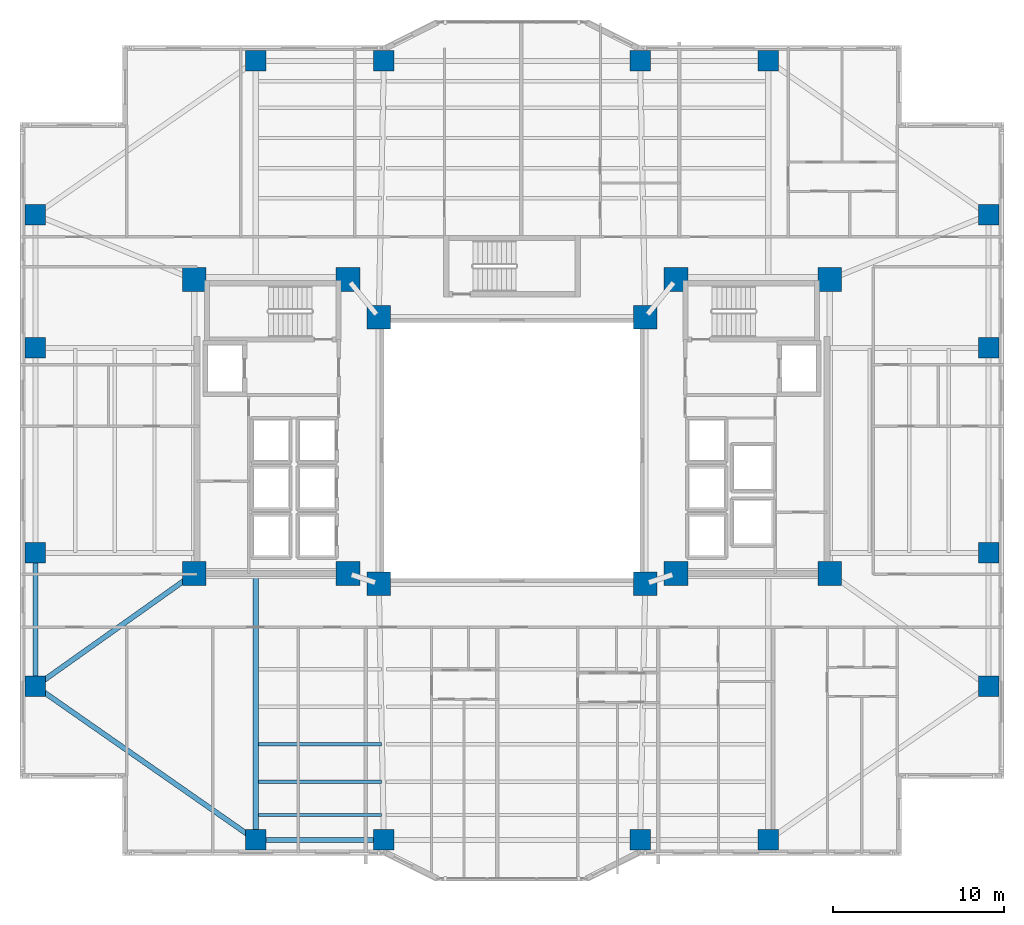
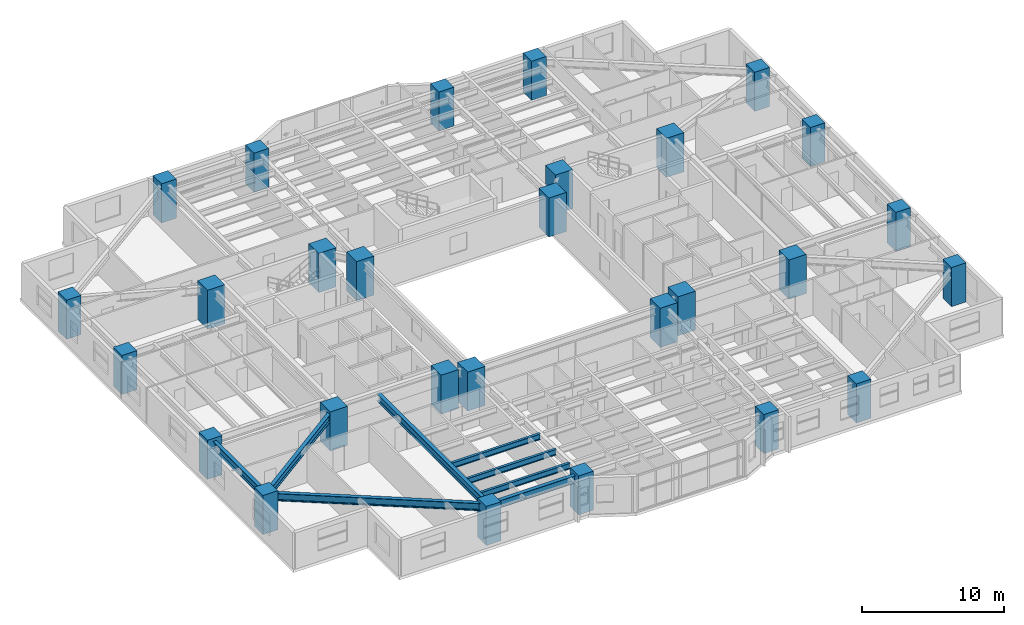
# One storey, part 1 of 21: 28 columns, 8 beams.
"""IFC4 building model written with IfcOpenShell, lengths in metres."""

from ifc_helpers import new_model, si_unit, direction, frame, origin, origin_2d, place, context, subcontext, project, spatial, rectangle, i_section, extrude, material, material_profile, profile_set, type_object, element, save


model = new_model("IFC4")

# Units and contexts
model_context = context("Model", 3, precision=1e-05, world=origin(), true_north=direction((0.0, 1.0)))
body_context = subcontext(model_context, "Body", "Model", "MODEL_VIEW")
ifc_project = project(units=[si_unit("LENGTHUNIT", "METRE"), si_unit("AREAUNIT", "SQUARE_METRE"), si_unit("VOLUMEUNIT", "CUBIC_METRE"), si_unit("PLANEANGLEUNIT", "RADIAN"), si_unit("MASSUNIT", "GRAM", prefix="KILO")], contexts=[model_context])

# Site, building, storey
site_placement = place(None, origin())
site = spatial("IfcSite", under=ifc_project, at=site_placement, CompositionType="ELEMENT")
building_placement = place(site_placement, origin())
building = spatial("IfcBuilding", under=site, at=building_placement, Name="Tarnavaz Court Tower", CompositionType="ELEMENT")
storey_placement = place(building_placement, frame((0.0, 0.0, 47.449951171875)))
storey = spatial("IfcBuildingStorey", under=building, at=storey_placement, Name="L12", CompositionType="ELEMENT", Elevation=47.449951171875)

# Columns
ifc_material_1 = material(Name="Concrete C60/75", Category="concrete")
ifc_material_profile_1 = material_profile(ifc_material_1, rectangle(XDim=1.199951171875, YDim=1.199951171875, at=origin_2d()), Name="RC 1200X1200")
ifc_profile_set_1 = profile_set([ifc_material_profile_1], Name="Concrete C60/75")
column_type_1 = type_object("IfcColumnType", Name="CL-RC1200", PredefinedType="COLUMN", material=ifc_profile_set_1)
for number, where, z_axis, x_axis, name in (
    (1, (-15.0, 22.800048828125, 0.0), (0.0, 0.0, 1.0), (1.0, 0.0, 0.0), "L12 Column PN-1"),
    (2, (-7.5, 22.800048828125, 0.0), (0.0, 0.0, 1.0), (1.0, 0.0, 0.0), "L12 Column PN-2"),
    (3, (7.5, 22.800048828125, 0.0), (0.0, 0.0, 1.0), (1.0, 0.0, 0.0), "L12 Column PN-3"),
    (4, (15.0, 22.800048828125, 0.0), (0.0, 0.0, 1.0), (1.0, 0.0, 0.0), "L12 Column PN-4"),
    (5, (-15.0, -22.800048828125, 0.0), (0.0, 0.0, 1.0), (1.0, 0.0, 0.0), "L12 Column PS-1"),
    (6, (-7.5, -22.800048828125, 0.0), (0.0, 0.0, 1.0), (1.0, 0.0, 0.0), "L12 Column PS-2"),
    (7, (7.5, -22.800048828125, 0.0), (0.0, 0.0, 1.0), (1.0, 0.0, 0.0), "L12 Column PS-3"),
    (8, (15.0, -22.800048828125, 0.0), (0.0, 0.0, 1.0), (1.0, 0.0, 0.0), "L12 Column PS-4"),
    (9, (27.89990234375, -13.800048828125, 0.0), (0.0, 0.0, 1.0), (1.0, 0.0, 0.0), "L12 Column PE-1"),
    (10, (27.89990234375, -6.0, 0.0), (0.0, 0.0, 1.0), (1.0, 0.0, 0.0), "L12 Column PE-2"),
    (11, (27.89990234375, 6.0, 0.0), (0.0, 0.0, 1.0), (1.0, 0.0, 0.0), "L12 Column PE-3"),
    (12, (27.89990234375, 13.800048828125, 0.0), (0.0, 0.0, 1.0), (1.0, 0.0, 0.0), "L12 Column PE-4"),
    (13, (-27.89990234375, -13.800048828125, 0.0), (0.0, 0.0, 1.0), (1.0, 0.0, 0.0), "L12 Column PW-1"),
    (14, (-27.89990234375, -6.0, 0.0), (0.0, 0.0, 1.0), (1.0, 0.0, 0.0), "L12 Column PW-2"),
    (15, (-27.89990234375, 6.0, 0.0), (0.0, 0.0, 1.0), (1.0, 0.0, 0.0), "L12 Column PW-3"),
    (16, (-27.89990234375, 13.800048828125, 0.0), (0.0, 0.0, 1.0), (1.0, 0.0, 0.0), "L12 Column PW-4"),
):
    element("IfcColumn", number, at=place(storey_placement, frame(where, z_axis=z_axis, x_axis=x_axis)), inside=storey, type_object=column_type_1, Name=name, PredefinedType="COLUMN", context=body_context, shape_type="SweptSolid", body=[
        extrude(rectangle(XDim=1.199951171875, YDim=1.199951171875, at=origin_2d()), origin(), (0.0, 0.0, 1.0), 3.35009765625),
    ])
ifc_material_profile_2 = material_profile(ifc_material_1, rectangle(XDim=1.39990234375, YDim=1.39990234375, at=origin_2d()), Name="RC 1400X1400")
ifc_profile_set_2 = profile_set([ifc_material_profile_2], Name="Concrete C60/75")
column_type_2 = type_object("IfcColumnType", Name="CL-RC1400", PredefinedType="COLUMN", material=ifc_profile_set_2)
for number, where, z_axis, x_axis, name in (
    (17, (-7.800048828125, -7.800048828125, 0.0), (0.0, 0.0, 1.0), (1.0, 0.0, 0.0), "L12 Column IW-SW"),
    (18, (7.800048828125, -7.800048828125, 0.0), (0.0, 0.0, 1.0), (1.0, 0.0, 0.0), "L12 Column IW-SE"),
    (19, (-7.800048828125, 7.800048828125, 0.0), (0.0, 0.0, 1.0), (1.0, 0.0, 0.0), "L12 Column IW-NW"),
    (20, (7.800048828125, 7.800048828125, 0.0), (0.0, 0.0, 1.0), (1.0, 0.0, 0.0), "L12 Column IW-NE"),
    (21, (-9.60009765625, -7.199951171875, 0.0), (0.0, 0.0, 1.0), (1.0, 0.0, 0.0), "L12 Column CW-SI"),
    (22, (-9.60009765625, 10.0, 0.0), (0.0, 0.0, 1.0), (1.0, 0.0, 0.0), "L12 Column CW-NI"),
    (23, (9.60009765625, -7.199951171875, 0.0), (0.0, 0.0, 1.0), (1.0, 0.0, 0.0), "L12 Column CE-SI"),
    (24, (9.60009765625, 10.0, 0.0), (0.0, 0.0, 1.0), (1.0, 0.0, 0.0), "L12 Column CE-NI"),
    (25, (-18.60009765625, -7.199951171875, 0.0), (0.0, 0.0, 1.0), (1.0, 0.0, 0.0), "L12 Column CW-SO"),
    (26, (-18.60009765625, 10.0, 0.0), (0.0, 0.0, 1.0), (1.0, 0.0, 0.0), "L12 Column CW-NO"),
    (27, (18.60009765625, -7.199951171875, 0.0), (0.0, 0.0, 1.0), (1.0, 0.0, 0.0), "L12 Column CE-SO"),
    (28, (18.60009765625, 10.0, 0.0), (0.0, 0.0, 1.0), (1.0, 0.0, 0.0), "L12 Column CE-NO"),
):
    element("IfcColumn", number, at=place(storey_placement, frame(where, z_axis=z_axis, x_axis=x_axis)), inside=storey, type_object=column_type_2, Name=name, PredefinedType="COLUMN", context=body_context, shape_type="SweptSolid", body=[
        extrude(rectangle(XDim=1.39990234375, YDim=1.39990234375, at=origin_2d()), origin(), (0.0, 0.0, 1.0), 3.35009765625),
    ])

# Beams
ifc_material_2 = material(Name="Steel S355", Category="steel")
ifc_material_profile_3 = material_profile(ifc_material_2, i_section(OverallWidth=0.300048828125, OverallDepth=0.64990234375, WebThickness=0.01611328125, FlangeThickness=0.031005859375, FilletRadius=0.027099609375, at=origin_2d()), Name="HEB 650")
ifc_profile_set_3 = profile_set([ifc_material_profile_3], Name="Steel S355")
beam_type_1 = type_object("IfcBeamType", Name="BM-G-HEB650", PredefinedType="USERDEFINED", material=ifc_profile_set_3)
beam_1_placement = place(storey_placement, frame((-15.0, -7.239990234375, 2.775146484375), z_axis=(0.0, -1.0, 0.0), x_axis=(1.0, 0.0, 0.0)))
element("IfcBeam", 29, at=beam_1_placement, inside=storey, type_object=beam_type_1, Name="L12 Beam RG-05", ObjectType="GIRDER", PredefinedType="USERDEFINED", context=body_context, shape_type="SweptSolid", body=[
    extrude(i_section(OverallWidth=0.300048828125, OverallDepth=0.64990234375, WebThickness=0.01611328125, FlangeThickness=0.031005859375, FilletRadius=0.027099609375, at=origin_2d()), origin(), (0.0, 0.0, 1.0), 15.340087890625),
])
beam_2_placement = place(storey_placement, frame((-18.779296875, -7.327392578125, 2.775146484375), z_axis=(-0.815520027245, -0.578728852886, 0.0), x_axis=(0.578728852886, -0.815520027245, 0.0)))
element("IfcBeam", 30, at=beam_2_placement, inside=storey, type_object=beam_type_1, Name="L12 Beam RG-15", ObjectType="GIRDER", PredefinedType="USERDEFINED", context=body_context, shape_type="SweptSolid", body=[
    extrude(i_section(OverallWidth=0.300048828125, OverallDepth=0.64990234375, WebThickness=0.01611328125, FlangeThickness=0.031005859375, FilletRadius=0.027099609375, at=origin_2d()), origin(), (0.0, 0.0, 1.0), 10.964111328125),
])
ifc_material_profile_4 = material_profile(ifc_material_2, i_section(OverallWidth=0.199951171875, OverallDepth=0.5, WebThickness=0.01025390625, FlangeThickness=0.01611328125, FilletRadius=0.02099609375, at=origin_2d()), Name="IPE 500")
ifc_profile_set_4 = profile_set([ifc_material_profile_4], Name="Steel S355")
beam_type_2 = type_object("IfcBeamType", Name="BM-J-IPE500", PredefinedType="JOIST", material=ifc_profile_set_4)
for number, where, z_axis, x_axis, name in (
    (31, (-14.85009765625, -17.18798828125, 2.85009765625), (1.0, 0.0, 0.0), (0.0, 1.0, 0.0), "L12 Beam JS3-1"),
    (32, (-14.85009765625, -19.384033203125, 2.85009765625), (1.0, 0.0, 0.0), (0.0, 1.0, 0.0), "L12 Beam JS4-1"),
    (33, (-14.85009765625, -21.3359375, 2.85009765625), (1.0, 0.0, 0.0), (0.0, 1.0, 0.0), "L12 Beam JS5-1"),
):
    element("IfcBeam", number, at=place(storey_placement, frame(where, z_axis=z_axis, x_axis=x_axis)), inside=storey, type_object=beam_type_2, Name=name, PredefinedType="JOIST", context=body_context, shape_type="SweptSolid", body=[
        extrude(i_section(OverallWidth=0.199951171875, OverallDepth=0.5, WebThickness=0.01025390625, FlangeThickness=0.01611328125, FilletRadius=0.02099609375, at=origin_2d()), origin(), (0.0, 0.0, 1.0), 7.2001953125),
    ])
ifc_material_profile_5 = material_profile(ifc_material_2, i_section(OverallWidth=0.300048828125, OverallDepth=0.639892578125, WebThickness=0.013427734375, FlangeThickness=0.02587890625, FilletRadius=0.027099609375, at=origin_2d()), Name="HEA 650")
ifc_profile_set_5 = profile_set([ifc_material_profile_5], Name="Steel S355")
beam_type_3 = type_object("IfcBeamType", Name="BM-SP-HEA650", PredefinedType="SPANDREL", material=ifc_profile_set_5)
beam_3_placement = place(storey_placement, frame((-14.780029296875, -22.800048828125, 2.780029296875), z_axis=(1.0, 0.0, 0.0), x_axis=(0.0, 1.0, 0.0)))
element("IfcBeam", 34, at=beam_3_placement, inside=storey, type_object=beam_type_3, Name="L12 Beam PR-PS-1-PS-2", PredefinedType="SPANDREL", context=body_context, shape_type="SweptSolid", body=[
    extrude(i_section(OverallWidth=0.300048828125, OverallDepth=0.639892578125, WebThickness=0.013427734375, FlangeThickness=0.02587890625, FilletRadius=0.027099609375, at=origin_2d()), origin(), (0.0, 0.0, 1.0), 7.06005859375),
])
beam_4_placement = place(storey_placement, frame((-27.89990234375, -13.580078125, 2.780029296875), z_axis=(0.0, 1.0, 0.0), x_axis=(-1.0, 0.0, 0.0)))
element("IfcBeam", 35, at=beam_4_placement, inside=storey, type_object=beam_type_3, Name="L12 Beam PR-PW-1-PW-2", PredefinedType="SPANDREL", context=body_context, shape_type="SweptSolid", body=[
    extrude(i_section(OverallWidth=0.300048828125, OverallDepth=0.639892578125, WebThickness=0.013427734375, FlangeThickness=0.02587890625, FilletRadius=0.027099609375, at=origin_2d()), origin(), (0.0, 0.0, 1.0), 7.360107421875),
])
beam_5_placement = place(storey_placement, frame((-15.180419921875, -22.674072265625, 2.780029296875), z_axis=(-0.820123643324, 0.572186341729, 0.0), x_axis=(-0.572186341729, -0.820123643324, 0.0)))
element("IfcBeam", 36, at=beam_5_placement, inside=storey, type_object=beam_type_3, Name="L12 Beam PR-PS-1-PW-1", PredefinedType="SPANDREL", context=body_context, shape_type="SweptSolid", body=[
    extrude(i_section(OverallWidth=0.300048828125, OverallDepth=0.639892578125, WebThickness=0.013427734375, FlangeThickness=0.02587890625, FilletRadius=0.027099609375, at=origin_2d()), origin(), (0.0, 0.0, 1.0), 15.289306640625),
])

save(model, "model.ifc")
